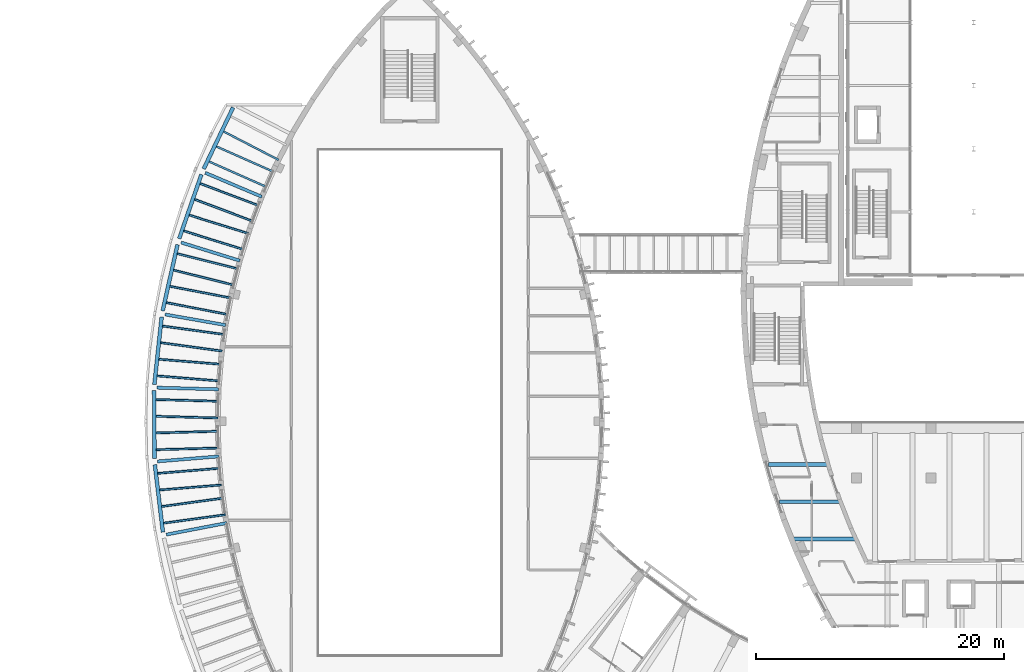
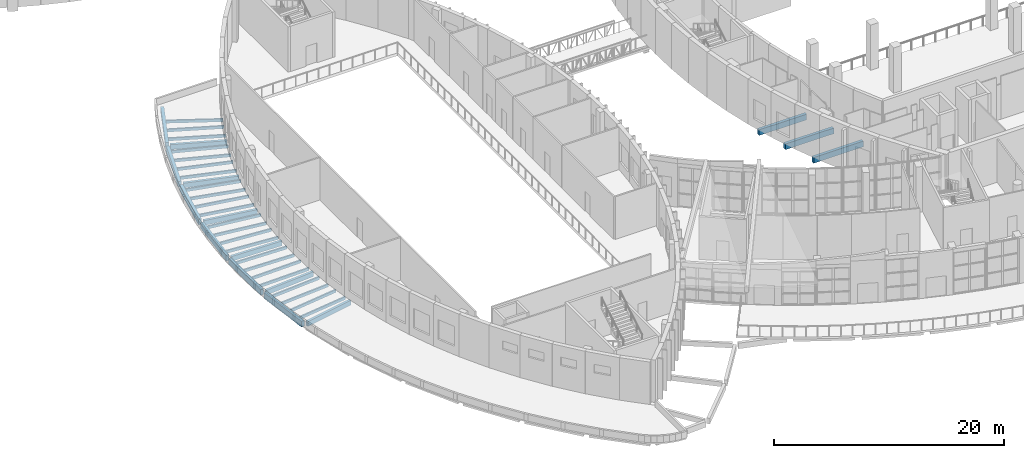
# One storey, part 11 of 93: 38 beams.
"""IFC4 building model written with IfcOpenShell, lengths in metres."""

from ifc_helpers import new_model, si_unit, direction, frame, origin, origin_2d, place, context, subcontext, project, spatial, rectangle, extrude, material, material_profile, profile_set, type_object, element, save


model = new_model("IFC4")

# Units and contexts
model_context = context("Model", 3, precision=1e-05, world=origin(), true_north=direction((0.0, 1.0)))
body_context = subcontext(model_context, "Body", "Model", "MODEL_VIEW")
ifc_project = project(units=[si_unit("LENGTHUNIT", "METRE"), si_unit("AREAUNIT", "SQUARE_METRE"), si_unit("VOLUMEUNIT", "CUBIC_METRE"), si_unit("PLANEANGLEUNIT", "RADIAN"), si_unit("MASSUNIT", "GRAM", prefix="KILO")], contexts=[model_context])

# Site, building, storey
site_placement = place(None, origin())
site = spatial("IfcSite", under=ifc_project, at=site_placement, CompositionType="ELEMENT")
building_placement = place(site_placement, origin())
building = spatial("IfcBuilding", under=site, at=building_placement, Name="Tide Square Theatres", CompositionType="ELEMENT")
storey_placement = place(building_placement, frame((0.0, 0.0, 5.39990234375)))
storey = spatial("IfcBuildingStorey", under=building, at=storey_placement, Name="L01", CompositionType="ELEMENT", Elevation=5.39990234375)

# Beams
ifc_material_1 = material(Name="Concrete C35", Category="concrete")
ifc_material_profile_1 = material_profile(ifc_material_1, rectangle(XDim=0.14990234375, YDim=0.300048828125, at=origin_2d()))
ifc_profile_set_1 = profile_set([ifc_material_profile_1], Name="Concrete C35")
beam_type_1 = type_object("IfcBeamType", Name="RC arcade roof rib 150 x 300", PredefinedType="JOIST", material=ifc_profile_set_1)
beam_1_placement = place(storey_placement, frame((20.9892578125, 67.84716796875, -0.349853515625), z_axis=(0.888265239331, -0.459330887918, 0.0), x_axis=(0.459330887918, 0.888265239331, 0.0)))
element("IfcBeam", 1, at=beam_1_placement, inside=storey, type_object=beam_type_1, Name="Arcade roof rib", PredefinedType="JOIST", context=body_context, shape_type="SweptSolid", body=[
    extrude(rectangle(XDim=0.14990234375, YDim=0.300048828125, at=origin_2d()), origin(), (0.0, 0.0, 1.0), 4.979736328125),
])
beam_2_placement = place(storey_placement, frame((20.409912109375, 66.6376953125, -0.349853515625), z_axis=(0.914475668062, -0.40464089329, 0.0), x_axis=(0.40464089329, 0.914475668062, 0.0)))
element("IfcBeam", 2, at=beam_2_placement, inside=storey, type_object=beam_type_1, Name="Arcade roof rib", PredefinedType="JOIST", context=body_context, shape_type="SweptSolid", body=[
    extrude(rectangle(XDim=0.14990234375, YDim=0.300048828125, at=origin_2d()), origin(), (0.0, 0.0, 1.0), 4.978271484375),
])
for number, where, z_axis, x_axis, name in (
    (3, (19.826904296875, 65.42041015625, -0.349853515625), (0.914454337455, -0.404689096356, 0.0), (0.404689096356, 0.914454337455, 0.0), "Arcade roof rib"),
    (4, (19.100830078125, 63.653564453125, -0.349853515625), (0.936053003784, -0.3518590259, 0.0), (0.3518590259, 0.936053003784, 0.0), "Arcade roof rib"),
):
    element("IfcBeam", number, at=place(storey_placement, frame(where, z_axis=z_axis, x_axis=x_axis)), inside=storey, type_object=beam_type_1, Name=name, PredefinedType="JOIST", context=body_context, shape_type="SweptSolid", body=[
        extrude(rectangle(XDim=0.14990234375, YDim=0.300048828125, at=origin_2d()), origin(), (0.0, 0.0, 1.0), 5.018798828125),
    ])
beam_3_placement = place(storey_placement, frame((18.65966796875, 62.377685546875, -0.349853515625), z_axis=(0.93604897536, -0.351869742557, 0.0), x_axis=(0.351869742557, 0.93604897536, 0.0)))
element("IfcBeam", 5, at=beam_3_placement, inside=storey, type_object=beam_type_1, Name="Arcade roof rib", PredefinedType="JOIST", context=body_context, shape_type="SweptSolid", body=[
    extrude(rectangle(XDim=0.14990234375, YDim=0.300048828125, at=origin_2d()), origin(), (0.0, 0.0, 1.0), 4.982421875),
])
beam_4_placement = place(storey_placement, frame((18.22119140625, 61.110107421875, -0.349853515625), z_axis=(0.954582863373, -0.297945560386, 0.0), x_axis=(0.297945560386, 0.954582863373, 0.0)))
element("IfcBeam", 6, at=beam_4_placement, inside=storey, type_object=beam_type_1, Name="Arcade roof rib", PredefinedType="JOIST", context=body_context, shape_type="SweptSolid", body=[
    extrude(rectangle(XDim=0.14990234375, YDim=0.300048828125, at=origin_2d()), origin(), (0.0, 0.0, 1.0), 4.9794921875),
])
beam_5_placement = place(storey_placement, frame((17.780029296875, 59.833984375, -0.349853515625), z_axis=(0.95459585511, -0.297903933184, 0.0), x_axis=(0.297903933184, 0.95459585511, 0.0)))
element("IfcBeam", 7, at=beam_5_placement, inside=storey, type_object=beam_type_1, Name="Arcade roof rib", PredefinedType="JOIST", context=body_context, shape_type="SweptSolid", body=[
    extrude(rectangle(XDim=0.14990234375, YDim=0.300048828125, at=origin_2d()), origin(), (0.0, 0.0, 1.0), 5.0205078125),
])
beam_6_placement = place(storey_placement, frame((17.25830078125, 57.99658203125, -0.349853515625), z_axis=(0.970019308681, -0.243027860102, 0.0), x_axis=(0.243027860102, 0.970019308681, 0.0)))
element("IfcBeam", 8, at=beam_6_placement, inside=storey, type_object=beam_type_1, Name="Arcade roof rib", PredefinedType="JOIST", context=body_context, shape_type="SweptSolid", body=[
    extrude(rectangle(XDim=0.14990234375, YDim=0.300048828125, at=origin_2d()), origin(), (0.0, 0.0, 1.0), 5.017822265625),
])
beam_7_placement = place(storey_placement, frame((16.963623046875, 56.67919921875, -0.349853515625), z_axis=(0.970018461805, -0.243031240292, 0.0), x_axis=(0.243031240292, 0.970018461805, 0.0)))
element("IfcBeam", 9, at=beam_7_placement, inside=storey, type_object=beam_type_1, Name="Arcade roof rib", PredefinedType="JOIST", context=body_context, shape_type="SweptSolid", body=[
    extrude(rectangle(XDim=0.14990234375, YDim=0.300048828125, at=origin_2d()), origin(), (0.0, 0.0, 1.0), 4.983642578125),
])
beam_8_placement = place(storey_placement, frame((16.67041015625, 55.369873046875, -0.349853515625), z_axis=(0.982038966187, -0.188678215199, 0.0), x_axis=(0.188678215199, 0.982038966187, 0.0)))
element("IfcBeam", 10, at=beam_8_placement, inside=storey, type_object=beam_type_1, Name="Arcade roof rib", PredefinedType="JOIST", context=body_context, shape_type="SweptSolid", body=[
    extrude(rectangle(XDim=0.14990234375, YDim=0.300048828125, at=origin_2d()), origin(), (0.0, 0.0, 1.0), 4.977783203125),
])
beam_9_placement = place(storey_placement, frame((16.375732421875, 54.052490234375, -0.349853515625), z_axis=(0.982034541649, -0.188701242733, 0.0), x_axis=(0.188701242733, 0.982034541649, 0.0)))
element("IfcBeam", 11, at=beam_9_placement, inside=storey, type_object=beam_type_1, Name="Arcade roof rib", PredefinedType="JOIST", context=body_context, shape_type="SweptSolid", body=[
    extrude(rectangle(XDim=0.14990234375, YDim=0.300048828125, at=origin_2d()), origin(), (0.0, 0.0, 1.0), 5.0185546875),
])
beam_10_placement = place(storey_placement, frame((16.064208984375, 52.167724609375, -0.349853515625), z_axis=(0.990815653865, -0.135219599376, 0.0), x_axis=(0.135219599376, 0.990815653865, 0.0)))
element("IfcBeam", 12, at=beam_10_placement, inside=storey, type_object=beam_type_1, Name="Arcade roof rib", PredefinedType="JOIST", context=body_context, shape_type="SweptSolid", body=[
    extrude(rectangle(XDim=0.14990234375, YDim=0.300048828125, at=origin_2d()), origin(), (0.0, 0.0, 1.0), 5.017578125),
])
beam_11_placement = place(storey_placement, frame((15.91943359375, 50.825439453125, -0.349853515625), z_axis=(0.99081554322, -0.135220410124, 0.0), x_axis=(0.135220410124, 0.99081554322, 0.0)))
element("IfcBeam", 13, at=beam_11_placement, inside=storey, type_object=beam_type_1, Name="Arcade roof rib", PredefinedType="JOIST", context=body_context, shape_type="SweptSolid", body=[
    extrude(rectangle(XDim=0.14990234375, YDim=0.300048828125, at=origin_2d()), origin(), (0.0, 0.0, 1.0), 4.9794921875),
])
beam_12_placement = place(storey_placement, frame((15.77587890625, 49.4912109375, -0.349853515625), z_axis=(0.996692236614, -0.081268600782, 0.0), x_axis=(0.081268600782, 0.996692236614, 0.0)))
element("IfcBeam", 14, at=beam_12_placement, inside=storey, type_object=beam_type_1, Name="Arcade roof rib", PredefinedType="JOIST", context=body_context, shape_type="SweptSolid", body=[
    extrude(rectangle(XDim=0.14990234375, YDim=0.300048828125, at=origin_2d()), origin(), (0.0, 0.0, 1.0), 4.980712890625),
])
beam_13_placement = place(storey_placement, frame((15.631103515625, 48.149169921875, -0.349853515625), z_axis=(0.9966912175, -0.081281098409, 0.0), x_axis=(0.081281098409, 0.9966912175, 0.0)))
element("IfcBeam", 15, at=beam_13_placement, inside=storey, type_object=beam_type_1, Name="Arcade roof rib", PredefinedType="JOIST", context=body_context, shape_type="SweptSolid", body=[
    extrude(rectangle(XDim=0.14990234375, YDim=0.300048828125, at=origin_2d()), origin(), (0.0, 0.0, 1.0), 5.01611328125),
])
beam_14_placement = place(storey_placement, frame((15.534423828125, 46.2412109375, -0.349853515625), z_axis=(0.999632764828, -0.027098625104, 0.0), x_axis=(0.027098625104, 0.999632764828, 0.0)))
element("IfcBeam", 16, at=beam_14_placement, inside=storey, type_object=beam_type_1, Name="Arcade roof rib", PredefinedType="JOIST", context=body_context, shape_type="SweptSolid", body=[
    extrude(rectangle(XDim=0.14990234375, YDim=0.300048828125, at=origin_2d()), origin(), (0.0, 0.0, 1.0), 5.018310546875),
])
beam_15_placement = place(storey_placement, frame((15.542724609375, 44.891357421875, -0.349853515625), z_axis=(0.999632780814, -0.027098035408, 0.0), x_axis=(0.027098035408, 0.999632780814, 0.0)))
element("IfcBeam", 17, at=beam_15_placement, inside=storey, type_object=beam_type_1, Name="Arcade roof rib", PredefinedType="JOIST", context=body_context, shape_type="SweptSolid", body=[
    extrude(rectangle(XDim=0.14990234375, YDim=0.300048828125, at=origin_2d()), origin(), (0.0, 0.0, 1.0), 4.97314453125),
])
beam_16_placement = place(storey_placement, frame((15.551025390625, 43.549560546875, -0.349853515625), z_axis=(0.999632460741, 0.027109840164, 0.0), x_axis=(-0.027109840164, 0.999632460741, 0.0)))
element("IfcBeam", 18, at=beam_16_placement, inside=storey, type_object=beam_type_1, Name="Arcade roof rib", PredefinedType="JOIST", context=body_context, shape_type="SweptSolid", body=[
    extrude(rectangle(XDim=0.14990234375, YDim=0.300048828125, at=origin_2d()), origin(), (0.0, 0.0, 1.0), 4.97998046875),
])
beam_17_placement = place(storey_placement, frame((15.559326171875, 42.199462890625, -0.349853515625), z_axis=(0.999632653447, 0.027102733472, 0.0), x_axis=(-0.027102733472, 0.999632653447, 0.0)))
element("IfcBeam", 19, at=beam_17_placement, inside=storey, type_object=beam_type_1, Name="Arcade roof rib", PredefinedType="JOIST", context=body_context, shape_type="SweptSolid", body=[
    extrude(rectangle(XDim=0.14990234375, YDim=0.300048828125, at=origin_2d()), origin(), (0.0, 0.0, 1.0), 5.008544921875),
])
beam_18_placement = place(storey_placement, frame((15.678466796875, 40.293212890625, -0.349853515625), z_axis=(0.99668864358, 0.081312654361, 0.0), x_axis=(-0.081312654361, 0.99668864358, 0.0)))
element("IfcBeam", 20, at=beam_18_placement, inside=storey, type_object=beam_type_1, Name="Arcade roof rib", PredefinedType="JOIST", context=body_context, shape_type="SweptSolid", body=[
    extrude(rectangle(XDim=0.14990234375, YDim=0.300048828125, at=origin_2d()), origin(), (0.0, 0.0, 1.0), 5.01416015625),
])
beam_19_placement = place(storey_placement, frame((15.838134765625, 38.952880859375, -0.349853515625), z_axis=(0.996693725822, 0.081250334817, 0.0), x_axis=(-0.081250334817, 0.996693725822, 0.0)))
element("IfcBeam", 21, at=beam_19_placement, inside=storey, type_object=beam_type_1, Name="Arcade roof rib", PredefinedType="JOIST", context=body_context, shape_type="SweptSolid", body=[
    extrude(rectangle(XDim=0.14990234375, YDim=0.300048828125, at=origin_2d()), origin(), (0.0, 0.0, 1.0), 4.9638671875),
])
beam_20_placement = place(storey_placement, frame((15.997314453125, 37.620361328125, -0.349853515625), z_axis=(0.990820614148, 0.135183248148, 0.0), x_axis=(-0.135183248148, 0.990820614148, 0.0)))
element("IfcBeam", 22, at=beam_20_placement, inside=storey, type_object=beam_type_1, Name="Arcade roof rib", PredefinedType="JOIST", context=body_context, shape_type="SweptSolid", body=[
    extrude(rectangle(XDim=0.14990234375, YDim=0.300048828125, at=origin_2d()), origin(), (0.0, 0.0, 1.0), 4.977294921875),
])
beam_21_placement = place(storey_placement, frame((16.156982421875, 36.27978515625, -0.349853515625), z_axis=(0.990818576978, 0.135198178665, 0.0), x_axis=(-0.135198178665, 0.990818576978, 0.0)))
element("IfcBeam", 23, at=beam_21_placement, inside=storey, type_object=beam_type_1, Name="Arcade roof rib", PredefinedType="JOIST", context=body_context, shape_type="SweptSolid", body=[
    extrude(rectangle(XDim=0.14990234375, YDim=0.300048828125, at=origin_2d()), origin(), (0.0, 0.0, 1.0), 5.000244140625),
])
ifc_material_2 = material(Name="Concrete C35", Category="concrete")
ifc_material_profile_2 = material_profile(ifc_material_2, rectangle(XDim=0.25, YDim=0.5, at=origin_2d()))
ifc_profile_set_2 = profile_set([ifc_material_profile_2], Name="Concrete C35")
beam_type_2 = type_object("IfcBeamType", Name="RC beam 250 x 500", PredefinedType="BEAM", material=ifc_profile_set_2)
beam_22_placement = place(storey_placement, frame((19.504638671875, 64.51708984375, -0.449951171875), z_axis=(0.920873936385, -0.389860479256, 0.0), x_axis=(0.389860479256, 0.920873936385, 0.0)))
element("IfcBeam", 24, at=beam_22_placement, inside=storey, type_object=beam_type_2, Name="Arcade slab beam", PredefinedType="BEAM", context=body_context, shape_type="SweptSolid", body=[
    extrude(rectangle(XDim=0.25, YDim=0.5, at=origin_2d()), origin(), (0.0, 0.0, 1.0), 4.948486328125),
])
beam_23_placement = place(storey_placement, frame((17.5615234375, 58.896728515625, -0.449951171875), z_axis=(0.955357845411, -0.295451158759, 0.0), x_axis=(0.295451158759, 0.955357845411, 0.0)))
element("IfcBeam", 25, at=beam_23_placement, inside=storey, type_object=beam_type_2, Name="Arcade slab beam", PredefinedType="BEAM", context=body_context, shape_type="SweptSolid", body=[
    extrude(rectangle(XDim=0.25, YDim=0.5, at=origin_2d()), origin(), (0.0, 0.0, 1.0), 4.94970703125),
])
beam_24_placement = place(storey_placement, frame((16.2646484375, 53.10009765625, -0.449951171875), z_axis=(0.984935656535, -0.172921232025, 0.0), x_axis=(0.172921232025, 0.984935656535, 0.0)))
element("IfcBeam", 26, at=beam_24_placement, inside=storey, type_object=beam_type_2, Name="Arcade slab beam", PredefinedType="BEAM", context=body_context, shape_type="SweptSolid", body=[
    extrude(rectangle(XDim=0.25, YDim=0.5, at=origin_2d()), origin(), (0.0, 0.0, 1.0), 4.948486328125),
])
for number, where, z_axis, x_axis, name in (
    (27, (15.628662109375, 47.19921875, -0.449951171875), (0.999632011863, -0.027126386744, 0.0), (0.027126386744, 0.999632011863, 0.0), "Arcade slab beam"),
    (28, (15.664306640625, 41.255126953125, -0.449951171875), (0.996691142574, 0.08128201717, 0.0), (-0.08128201717, 0.996691142574, 0.0), "Arcade slab beam"),
    (29, (16.36767578125, 35.353271484375, -0.449951171875), (0.982034227888, 0.188702875591, 0.0), (-0.188702875591, 0.982034227888, 0.0), "Arcade slab beam"),
):
    element("IfcBeam", number, at=place(storey_placement, frame(where, z_axis=z_axis, x_axis=x_axis)), inside=storey, type_object=beam_type_2, Name=name, PredefinedType="BEAM", context=body_context, shape_type="SweptSolid", body=[
        extrude(rectangle(XDim=0.25, YDim=0.5, at=origin_2d()), origin(), (0.0, 0.0, 1.0), 4.949951171875),
    ])
ifc_material_3 = material(Name="Concrete C35", Category="concrete")
ifc_material_profile_3 = material_profile(ifc_material_3, rectangle(XDim=0.300048828125, YDim=0.60009765625, at=origin_2d()))
ifc_profile_set_3 = profile_set([ifc_material_profile_3], Name="Concrete C35")
beam_type_3 = type_object("IfcBeamType", Name="RC beam 300 x 600", PredefinedType="BEAM", material=ifc_profile_set_3)
beam_25_placement = place(storey_placement, frame((21.746337890625, 69.7744140625, -0.5), z_axis=(-0.432031721581, -0.901858409922, 0.0), x_axis=(0.901858409922, -0.432031721581, 0.0)))
element("IfcBeam", 30, at=beam_25_placement, inside=storey, type_object=beam_type_3, Name="Colonnade beam", PredefinedType="BEAM", context=body_context, shape_type="SweptSolid", body=[
    extrude(rectangle(XDim=0.300048828125, YDim=0.60009765625, at=origin_2d()), origin(), (0.0, 0.0, 1.0), 5.47119140625),
])
for number, where, z_axis, x_axis, name in (
    (31, (19.19287109375, 64.378173828125, -0.5), (-0.326836232884, -0.945080989585, 0.0), (0.945080989585, -0.326836232884, 0.0), "Colonnade beam"),
    (32, (17.268310546875, 58.726806640625, -0.5), (-0.218451417528, -0.975847825319, 0.0), (0.975847825319, -0.218451417528, 0.0), "Colonnade beam"),
):
    element("IfcBeam", number, at=place(storey_placement, frame(where, z_axis=z_axis, x_axis=x_axis)), inside=storey, type_object=beam_type_3, Name=name, PredefinedType="BEAM", context=body_context, shape_type="SweptSolid", body=[
        extrude(rectangle(XDim=0.300048828125, YDim=0.60009765625, at=origin_2d()), origin(), (0.0, 0.0, 1.0), 5.4716796875),
    ])
beam_26_placement = place(storey_placement, frame((15.99169921875, 52.89453125, -0.5), z_axis=(-0.107134952683, -0.994244487998, 0.0), x_axis=(0.994244487998, -0.107134952683, 0.0)))
element("IfcBeam", 33, at=beam_26_placement, inside=storey, type_object=beam_type_3, Name="Colonnade beam", PredefinedType="BEAM", context=body_context, shape_type="SweptSolid", body=[
    extrude(rectangle(XDim=0.300048828125, YDim=0.60009765625, at=origin_2d()), origin(), (0.0, 0.0, 1.0), 5.471435546875),
])
beam_27_placement = place(storey_placement, frame((15.380126953125, 46.9560546875, -0.5), z_axis=(0.006157848441, -0.999981040272, 0.0), x_axis=(0.999981040272, 0.006157848441, 0.0)))
element("IfcBeam", 34, at=beam_27_placement, inside=storey, type_object=beam_type_3, Name="Colonnade beam", PredefinedType="BEAM", context=body_context, shape_type="SweptSolid", body=[
    extrude(rectangle(XDim=0.300048828125, YDim=0.60009765625, at=origin_2d()), origin(), (0.0, 0.0, 1.0), 5.47119140625),
])
beam_28_placement = place(storey_placement, frame((15.44482421875, 40.986572265625, -0.5), z_axis=(0.118392039305, -0.992966930481, 0.0), x_axis=(0.992966930481, 0.118392039305, 0.0)))
element("IfcBeam", 35, at=beam_28_placement, inside=storey, type_object=beam_type_3, Name="Colonnade beam", PredefinedType="BEAM", context=body_context, shape_type="SweptSolid", body=[
    extrude(rectangle(XDim=0.300048828125, YDim=0.60009765625, at=origin_2d()), origin(), (0.0, 0.0, 1.0), 5.470947265625),
])
beam_29_placement = place(storey_placement, frame((66.90771484375, 35.0, -0.5498046875), z_axis=(1.0, 0.0, 0.0), x_axis=(0.0, 1.0, 0.0)))
element("IfcBeam", 36, at=beam_29_placement, inside=storey, type_object=beam_type_3, Name="Floor beam", PredefinedType="BEAM", context=body_context, shape_type="SweptSolid", body=[
    extrude(rectangle(XDim=0.300048828125, YDim=0.60009765625, at=origin_2d()), origin(), (0.0, 0.0, 1.0), 4.98095703125),
])
beam_30_placement = place(storey_placement, frame((65.8037109375, 38.0, -0.5498046875), z_axis=(1.0, 0.0, 0.0), x_axis=(0.0, 1.0, 0.0)))
element("IfcBeam", 37, at=beam_30_placement, inside=storey, type_object=beam_type_3, Name="Floor beam", PredefinedType="BEAM", context=body_context, shape_type="SweptSolid", body=[
    extrude(rectangle(XDim=0.300048828125, YDim=0.60009765625, at=origin_2d()), origin(), (0.0, 0.0, 1.0), 4.850341796875),
])
beam_31_placement = place(storey_placement, frame((64.8935546875, 41.0, -0.5498046875), z_axis=(1.0, 0.0, 0.0), x_axis=(0.0, 1.0, 0.0)))
element("IfcBeam", 38, at=beam_31_placement, inside=storey, type_object=beam_type_3, Name="Floor beam", PredefinedType="BEAM", context=body_context, shape_type="SweptSolid", body=[
    extrude(rectangle(XDim=0.300048828125, YDim=0.60009765625, at=origin_2d()), origin(), (0.0, 0.0, 1.0), 4.769775390625),
])

save(model, "model.ifc")
